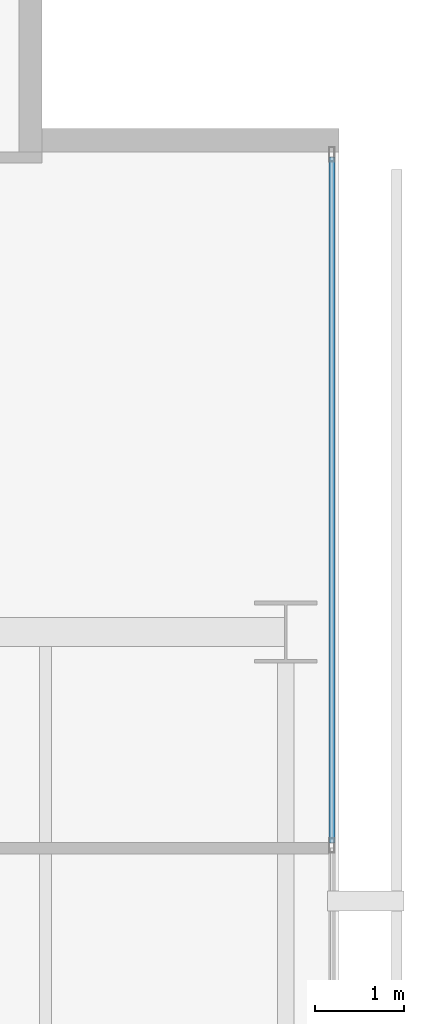
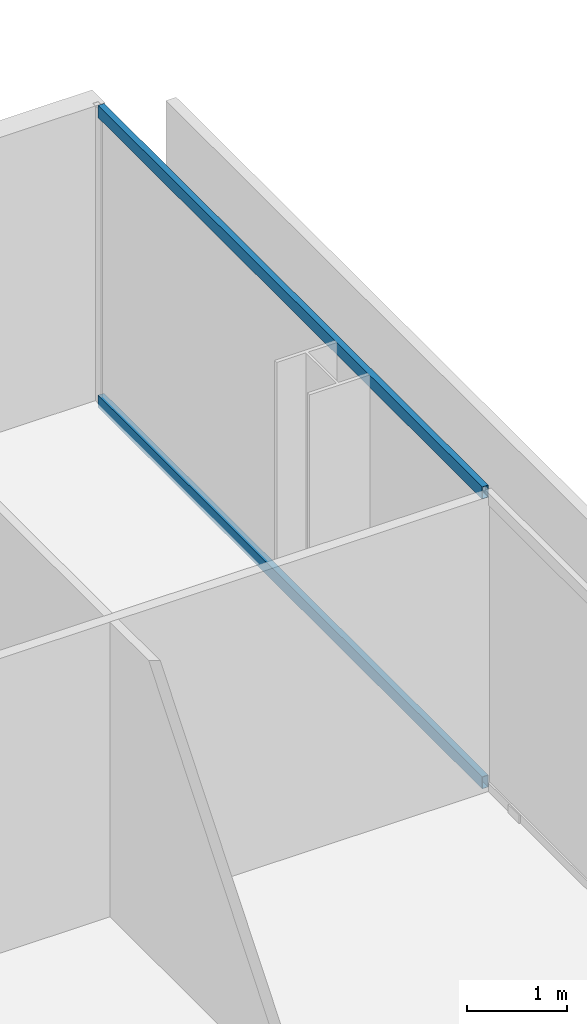
# One storey, part 29 of 41: 2 members, 1 element without a shape of its own.
"""IFC4 building model written with IfcOpenShell, lengths in metres."""

from ifc_helpers import new_model, si_unit, direction, frame, origin, origin_2d, place, context, subcontext, project, spatial, hollow_rectangle, extrude, material, layer, layer_set, material_profile, profile_set, type_object, element, aggregate, save


model = new_model("IFC4")

# Units and contexts
model_context = context("Model", 3, precision=1e-05, world=origin(), true_north=direction((0.0, 1.0)))
body_context = subcontext(model_context, "Body", "Model", "MODEL_VIEW")
ifc_project = project(units=[si_unit("LENGTHUNIT", "METRE"), si_unit("AREAUNIT", "SQUARE_METRE"), si_unit("VOLUMEUNIT", "CUBIC_METRE"), si_unit("PLANEANGLEUNIT", "RADIAN"), si_unit("MASSUNIT", "GRAM", prefix="KILO")], contexts=[model_context])

# Site, building, storey
site_placement = place(None, origin())
site = spatial("IfcSite", under=ifc_project, at=site_placement, CompositionType="ELEMENT")
building_placement = place(site_placement, origin())
building = spatial("IfcBuilding", under=site, at=building_placement, Name="Maruvema Waterfront Hotel and Observation Tower", CompositionType="ELEMENT")
storey_placement = place(building_placement, frame((0.0, 0.0, 61.60009765625)))
storey = spatial("IfcBuildingStorey", under=building, at=storey_placement, Name="L14", CompositionType="ELEMENT", Elevation=61.60009765625)

# Curtain wall, members
ifc_material_1 = material(Name="Anodised bronze aluminium and solar-control low-E IGU", Category="aluminium")
ifc_layer = layer(ifc_material_1, 0.159912109375, Name="Zone 1 Bronze Inner Thermal Curtain Wall System CW-02")
ifc_layer_set = layer_set([ifc_layer], Name="Anodised bronze aluminium and solar-control low-E IGU")
curtain_wall_type = type_object("IfcCurtainWallType", Name="Zone 1 Bronze Inner Thermal Curtain Wall System CW-02", PredefinedType="USERDEFINED", material=ifc_layer_set)
curtain_wall_placement = place(storey_placement, origin())
curtain_wall = element("IfcCurtainWall", 1, at=curtain_wall_placement, inside=storey, type_object=curtain_wall_type, Name="L14 Curtain Wall CW-L14-E", ObjectType="UNITISED CURTAIN WALL", PredefinedType="USERDEFINED")
ifc_material_2 = material(Name="Anodised architectural bronze aluminium", Category="aluminium")
ifc_material_profile = material_profile(ifc_material_2, hollow_rectangle(XDim=0.070068359375, YDim=0.14990234375, WallThickness=0.00390625, at=origin_2d()), Name="ALU-T70x150")
ifc_profile_set = profile_set([ifc_material_profile], Name="Anodised architectural bronze aluminium")
member_type = type_object("IfcMemberType", Name="Curtain Wall Horizontal Transom ALU-T70x150", PredefinedType="USERDEFINED", material=ifc_profile_set)
member_1_placement = place(storey_placement, frame((64.719970703125, 42.6298828125, 0.02978515625), z_axis=(0.0, 1.0, 0.0), x_axis=(-1.0, 0.0, 0.0)))
member_1 = element("IfcMember", 2, at=member_1_placement, type_object=member_type, Name="CW-02 transom 6.1", ObjectType="TRANSOM", PredefinedType="USERDEFINED", context=body_context, shape_type="SweptSolid", body=[
    extrude(hollow_rectangle(XDim=0.070068359375, YDim=0.14990234375, WallThickness=0.00390625, at=origin_2d()), origin(), (0.0, 0.0, 1.0), 7.710205078125),
])
member_2_placement = place(storey_placement, frame((64.719970703125, 42.6298828125, 3.579833984375), z_axis=(0.0, 1.0, 0.0), x_axis=(-1.0, 0.0, 0.0)))
member_2 = element("IfcMember", 3, at=member_2_placement, type_object=member_type, Name="CW-02 transom 6.2", ObjectType="TRANSOM", PredefinedType="USERDEFINED", context=body_context, shape_type="SweptSolid", body=[
    extrude(hollow_rectangle(XDim=0.070068359375, YDim=0.14990234375, WallThickness=0.00390625, at=origin_2d()), origin(), (0.0, 0.0, 1.0), 7.710205078125),
])
aggregate(curtain_wall, [member_1, member_2])

save(model, "model.ifc")
